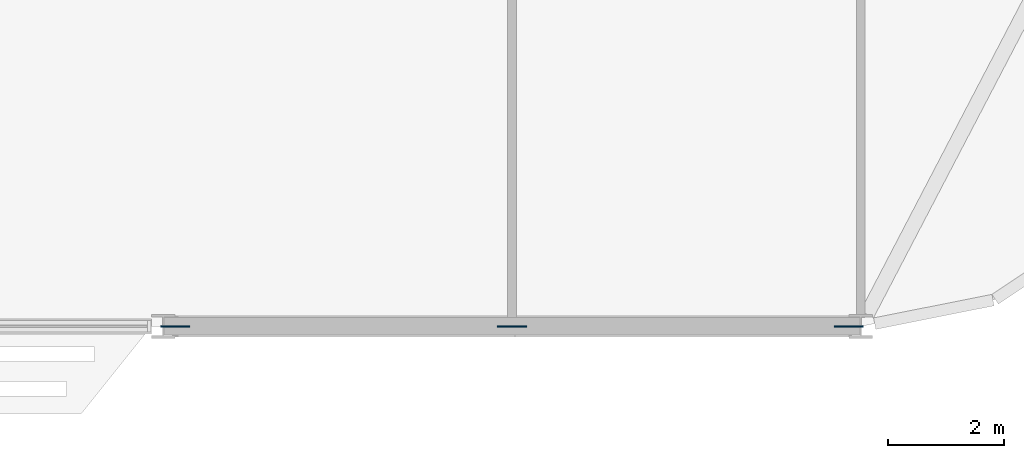
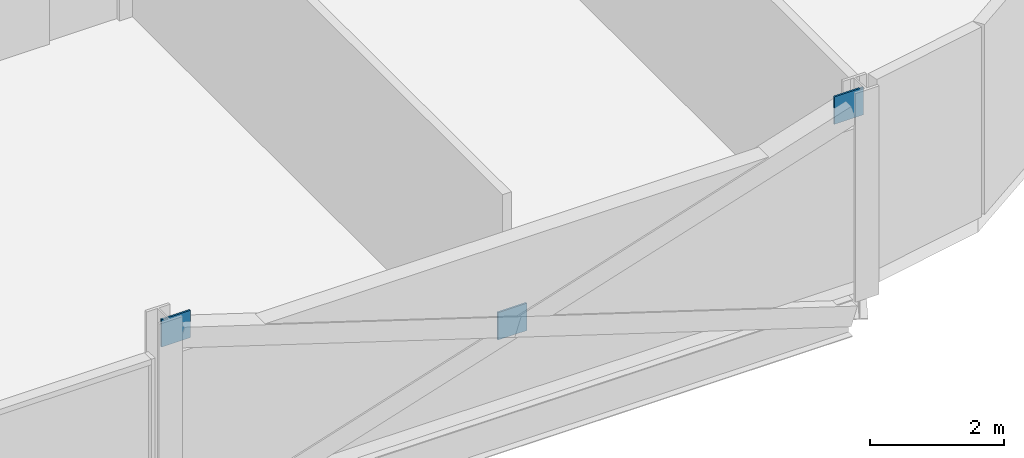
# One storey, part 20 of 27: 3 discrete accessories.
"""IFC4 building model written with IfcOpenShell, lengths in metres."""

from ifc_helpers import new_model, si_unit, direction, frame, origin, origin_2d, place, context, subcontext, project, spatial, rectangle, extrude, material, layer, layer_set, type_object, element, save


model = new_model("IFC4")

# Units and contexts
model_context = context("Model", 3, precision=1e-05, world=origin(), true_north=direction((0.0, 1.0)))
body_context = subcontext(model_context, "Body", "Model", "MODEL_VIEW")
ifc_project = project(units=[si_unit("LENGTHUNIT", "METRE"), si_unit("AREAUNIT", "SQUARE_METRE"), si_unit("VOLUMEUNIT", "CUBIC_METRE"), si_unit("PLANEANGLEUNIT", "RADIAN"), si_unit("MASSUNIT", "GRAM", prefix="KILO")], contexts=[model_context])

# Site, building, storey
site_placement = place(None, origin())
site = spatial("IfcSite", under=ifc_project, at=site_placement, CompositionType="ELEMENT")
building_placement = place(site_placement, origin())
building = spatial("IfcBuilding", under=site, at=building_placement, Name="Mahtab Terrace Research Tower", CompositionType="ELEMENT")
storey_placement = place(building_placement, frame((0.0, 0.0, 163.0)))
storey = spatial("IfcBuildingStorey", under=building, at=storey_placement, Name="L38", CompositionType="ELEMENT", Elevation=163.0)

# Discrete accessories
ifc_material = material(Name="Steel ASTM A992 Gr 50", Category="steel")
ifc_layer = layer(ifc_material, 0.030029296875)
ifc_layer_set = layer_set([ifc_layer], Name="Gusset plate 500x500x30")
discrete_accessory_type = type_object("IfcDiscreteAccessoryType", Name="Gusset plate 500x500x30", PredefinedType="USERDEFINED", material=ifc_layer_set)
for number, where, z_axis, x_axis, name in (
    (1, (30.203125, -23.0, 2.870849609375), (0.0, 0.0, 1.0), (1.0, 0.0, 0.0), "Gusset plate"),
    (2, (36.0, -23.0, 0.970947265625), (0.0, 0.0, 1.0), (1.0, 0.0, 0.0), "Gusset plate"),
    (3, (41.796875, -23.0, 2.870849609375), (0.0, 0.0, 1.0), (1.0, 0.0, 0.0), "Gusset plate"),
):
    element("IfcDiscreteAccessory", number, at=place(storey_placement, frame(where, z_axis=z_axis, x_axis=x_axis)), inside=storey, type_object=discrete_accessory_type, Name=name, ObjectType="GUSSET PLATE", PredefinedType="USERDEFINED", context=body_context, shape_type="SweptSolid", body=[
        extrude(rectangle(XDim=0.5, YDim=0.030029296875, at=origin_2d()), origin(), (0.0, 0.0, 1.0), 0.5),
    ])

save(model, "model.ifc")
